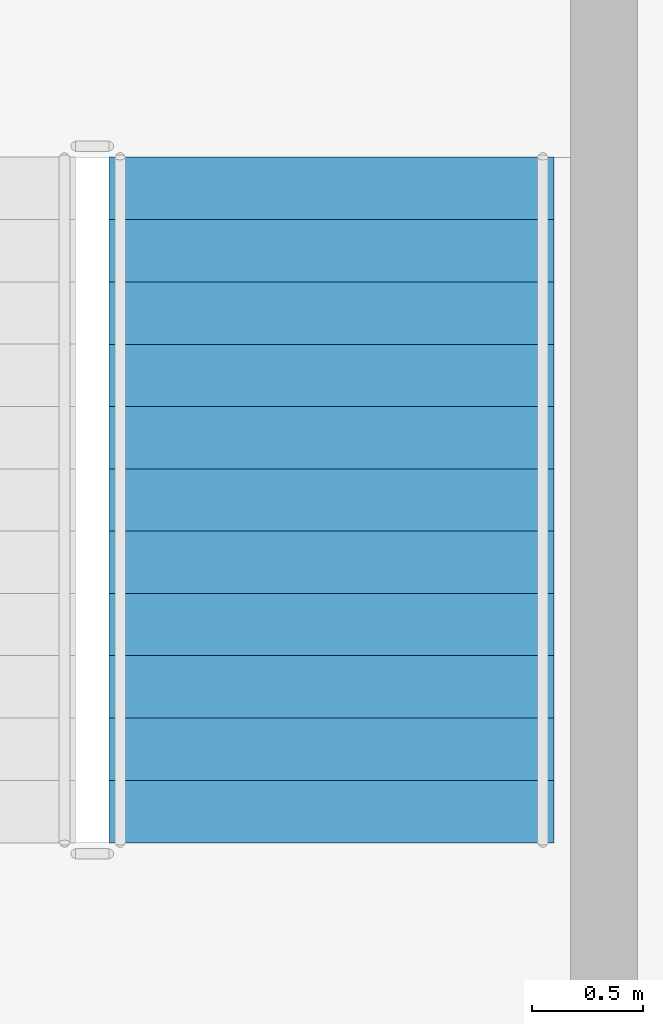
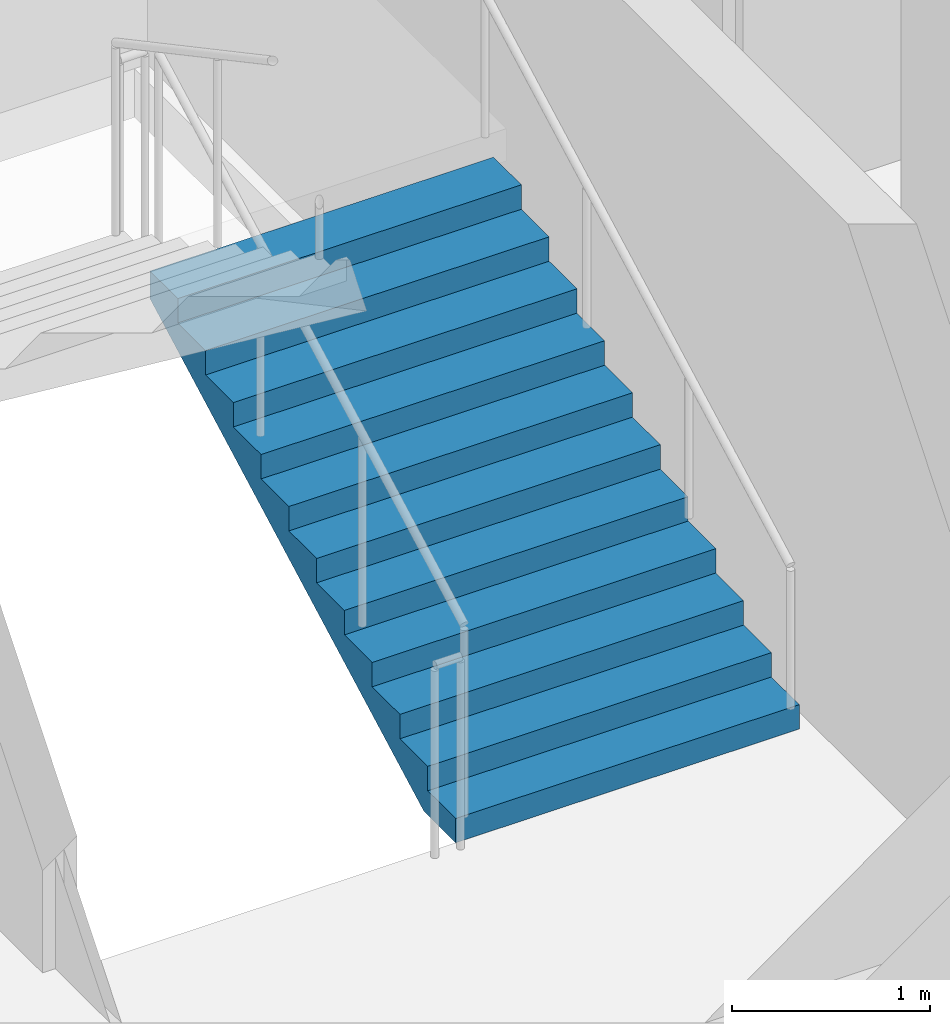
# One storey, part 12 of 15: 1 stair flight, 1 element without a shape of its own.
"""IFC4 building model written with IfcOpenShell, lengths in metres."""

from ifc_helpers import new_model, si_unit, direction, frame, origin, place, context, subcontext, project, spatial, polygons, material, type_object, element, aggregate, save


model = new_model("IFC4")

# Units and contexts
model_context = context("Model", 3, precision=1e-05, world=origin(), true_north=direction((0.0, 1.0)))
body_context = subcontext(model_context, "Body", "Model", "MODEL_VIEW")
ifc_project = project(units=[si_unit("LENGTHUNIT", "METRE"), si_unit("AREAUNIT", "SQUARE_METRE"), si_unit("VOLUMEUNIT", "CUBIC_METRE"), si_unit("PLANEANGLEUNIT", "RADIAN"), si_unit("MASSUNIT", "GRAM", prefix="KILO")], contexts=[model_context])

# Site, building, storey
site_placement = place(None, origin())
site = spatial("IfcSite", under=ifc_project, at=site_placement, CompositionType="ELEMENT")
building_placement = place(site_placement, origin())
building = spatial("IfcBuilding", under=site, at=building_placement, Name="Caravel Reach Hotel and Residences", CompositionType="ELEMENT")
storey_placement = place(building_placement, frame((0.0, 0.0, 70.800048828125)))
storey = spatial("IfcBuildingStorey", under=building, at=storey_placement, Name="L16", CompositionType="ELEMENT", Elevation=70.800048828125)

# Stair, stair flight
ifc_material_1 = material(Name="Concrete C40", Category="concrete")
stair_type = type_object("IfcStairType", Name="Core stair", PredefinedType="HALF_TURN_STAIR", material=ifc_material_1)
stair_placement = place(storey_placement, origin())
stair = element("IfcStair", 1, at=stair_placement, inside=storey, type_object=stair_type, Name="L16 Exit stair B", PredefinedType="HALF_TURN_STAIR")
ifc_material_2 = material(Name="Concrete C40", Category="concrete")
stair_flight_type = type_object("IfcStairFlightType", Name="Core stair flight", PredefinedType="STRAIGHT", material=ifc_material_2)
stair_flight_placement = place(storey_placement, frame((43.77490234375, 24.64990234375, 0.0), z_axis=(0.0, 0.0, 1.0), x_axis=(0.0, 1.0, 0.0)))
stair_flight = element("IfcStairFlight", 2, at=stair_flight_placement, type_object=stair_flight_type, Name="ST-B flight 1", NumberOfRisers=12, NumberOfTreads=11, PredefinedType="STRAIGHT", RiserHeight=0.15, TreadLength=0.28, context=body_context, shape_type="Tessellation", body=[
    polygons([(0.3174408016601862, 1.0, 0.0), (0.3174408016601862, 0.6666666666666667, 0.0), (0.3174408016601862, 0.33333333333333337, 0.0), (0.3174408016601862, 0.0, 0.0), (0.3174408016601862, -0.33333333333333326, 0.0), (0.3174408016601862, -0.6666666666666667, 0.0), (0.3174408016601862, -1.0, 0.0), (3.081, 1.0, 1.479942427682043), (3.081, 0.6666666666666667, 1.479942427682043), (3.081, 0.33333333333333337, 1.479942427682043), (3.081, 0.0, 1.479942427682043), (3.081, -0.33333333333333326, 1.479942427682043), (3.081, -0.6666666666666667, 1.479942427682043), (3.081, -1.0, 1.479942427682043), (3.081, 1.0, 1.65), (3.081, 0.6666666666666667, 1.65), (3.081, 0.33333333333333337, 1.65), (3.081, 0.0, 1.65), (3.081, -0.33333333333333326, 1.65), (3.081, -0.6666666666666667, 1.65), (3.081, -1.0, 1.65), (2.8000000000000003, 1.0, 1.65), (2.8000000000000003, 0.6666666666666667, 1.65), (2.8000000000000003, 0.33333333333333337, 1.65), (2.8000000000000003, 0.0, 1.65), (2.8000000000000003, -0.33333333333333326, 1.65), (2.8000000000000003, -0.6666666666666667, 1.65), (2.8000000000000003, -1.0, 1.65), (2.8000000000000003, 1.0, 1.5), (2.8000000000000003, 0.6666666666666667, 1.5), (2.8000000000000003, 0.33333333333333337, 1.5), (2.8000000000000003, 0.0, 1.5), (2.8000000000000003, -0.33333333333333326, 1.5), (2.8000000000000003, -0.6666666666666667, 1.5), (2.8000000000000003, -1.0, 1.5), (2.5200000000000005, 1.0, 1.5), (2.5200000000000005, 0.6666666666666667, 1.5), (2.5200000000000005, 0.33333333333333337, 1.5), (2.5200000000000005, 0.0, 1.5), (2.5200000000000005, -0.33333333333333326, 1.5), (2.5200000000000005, -0.6666666666666667, 1.5), (2.5200000000000005, -1.0, 1.5), (2.5200000000000005, 1.0, 1.3499999999999999), (2.5200000000000005, 0.6666666666666667, 1.3499999999999999), (2.5200000000000005, 0.33333333333333337, 1.3499999999999999), (2.5200000000000005, 0.0, 1.3499999999999999), (2.5200000000000005, -0.33333333333333326, 1.3499999999999999), (2.5200000000000005, -0.6666666666666667, 1.3499999999999999), (2.5200000000000005, -1.0, 1.3499999999999999), (2.24, 1.0, 1.3499999999999999), (2.24, 0.6666666666666667, 1.3499999999999999), (2.24, 0.33333333333333337, 1.3499999999999999), (2.24, 0.0, 1.3499999999999999), (2.24, -0.33333333333333326, 1.3499999999999999), (2.24, -0.6666666666666667, 1.3499999999999999), (2.24, -1.0, 1.3499999999999999), (2.24, 1.0, 1.2), (2.24, 0.6666666666666667, 1.2), (2.24, 0.33333333333333337, 1.2), (2.24, 0.0, 1.2), (2.24, -0.33333333333333326, 1.2), (2.24, -0.6666666666666667, 1.2), (2.24, -1.0, 1.2), (1.9600000000000002, 1.0, 1.2), (1.9600000000000002, 0.6666666666666667, 1.2), (1.9600000000000002, 0.33333333333333337, 1.2), (1.9600000000000002, 0.0, 1.2), (1.9600000000000002, -0.33333333333333326, 1.2), (1.9600000000000002, -0.6666666666666667, 1.2), (1.9600000000000002, -1.0, 1.2), (1.9600000000000002, 1.0, 1.05), (1.9600000000000002, 0.6666666666666667, 1.05), (1.9600000000000002, 0.33333333333333337, 1.05), (1.9600000000000002, 0.0, 1.05), (1.9600000000000002, -0.33333333333333326, 1.05), (1.9600000000000002, -0.6666666666666667, 1.05), (1.9600000000000002, -1.0, 1.05), (1.6800000000000002, 1.0, 1.05), (1.6800000000000002, 0.6666666666666667, 1.05), (1.6800000000000002, 0.33333333333333337, 1.05), (1.6800000000000002, 0.0, 1.05), (1.6800000000000002, -0.33333333333333326, 1.05), (1.6800000000000002, -0.6666666666666667, 1.05), (1.6800000000000002, -1.0, 1.05), (1.6800000000000002, 1.0, 0.8999999999999999), (1.6800000000000002, 0.6666666666666667, 0.8999999999999999), (1.6800000000000002, 0.33333333333333337, 0.8999999999999999), (1.6800000000000002, 0.0, 0.8999999999999999), (1.6800000000000002, -0.33333333333333326, 0.8999999999999999), (1.6800000000000002, -0.6666666666666667, 0.8999999999999999), (1.6800000000000002, -1.0, 0.8999999999999999), (1.4000000000000001, 1.0, 0.8999999999999999), (1.4000000000000001, 0.6666666666666667, 0.8999999999999999), (1.4000000000000001, 0.33333333333333337, 0.8999999999999999), (1.4000000000000001, 0.0, 0.8999999999999999), (1.4000000000000001, -0.33333333333333326, 0.8999999999999999), (1.4000000000000001, -0.6666666666666667, 0.8999999999999999), (1.4000000000000001, -1.0, 0.8999999999999999), (1.4000000000000001, 1.0, 0.75), (1.4000000000000001, 0.6666666666666667, 0.75), (1.4000000000000001, 0.33333333333333337, 0.75), (1.4000000000000001, 0.0, 0.75), (1.4000000000000001, -0.33333333333333326, 0.75), (1.4000000000000001, -0.6666666666666667, 0.75), (1.4000000000000001, -1.0, 0.75), (1.12, 1.0, 0.75), (1.12, 0.6666666666666667, 0.75), (1.12, 0.33333333333333337, 0.75), (1.12, 0.0, 0.75), (1.12, -0.33333333333333326, 0.75), (1.12, -0.6666666666666667, 0.75), (1.12, -1.0, 0.75), (1.12, 1.0, 0.6), (1.12, 0.6666666666666667, 0.6), (1.12, 0.33333333333333337, 0.6), (1.12, 0.0, 0.6), (1.12, -0.33333333333333326, 0.6), (1.12, -0.6666666666666667, 0.6), (1.12, -1.0, 0.6), (0.8400000000000001, 1.0, 0.6), (0.8400000000000001, 0.6666666666666667, 0.6), (0.8400000000000001, 0.33333333333333337, 0.6), (0.8400000000000001, 0.0, 0.6), (0.8400000000000001, -0.33333333333333326, 0.6), (0.8400000000000001, -0.6666666666666667, 0.6), (0.8400000000000001, -1.0, 0.6), (0.8400000000000001, 1.0, 0.44999999999999996), (0.8400000000000001, 0.6666666666666667, 0.44999999999999996), (0.8400000000000001, 0.33333333333333337, 0.44999999999999996), (0.8400000000000001, 0.0, 0.44999999999999996), (0.8400000000000001, -0.33333333333333326, 0.44999999999999996), (0.8400000000000001, -0.6666666666666667, 0.44999999999999996), (0.8400000000000001, -1.0, 0.44999999999999996), (0.56, 1.0, 0.44999999999999996), (0.56, 0.6666666666666667, 0.44999999999999996), (0.56, 0.33333333333333337, 0.44999999999999996), (0.56, 0.0, 0.44999999999999996), (0.56, -0.33333333333333326, 0.44999999999999996), (0.56, -0.6666666666666667, 0.44999999999999996), (0.56, -1.0, 0.44999999999999996), (0.56, 1.0, 0.3), (0.56, 0.6666666666666667, 0.3), (0.56, 0.33333333333333337, 0.3), (0.56, 0.0, 0.3), (0.56, -0.33333333333333326, 0.3), (0.56, -0.6666666666666667, 0.3), (0.56, -1.0, 0.3), (0.28, 1.0, 0.3), (0.28, 0.6666666666666667, 0.3), (0.28, 0.33333333333333337, 0.3), (0.28, 0.0, 0.3), (0.28, -0.33333333333333326, 0.3), (0.28, -0.6666666666666667, 0.3), (0.28, -1.0, 0.3), (0.28, 1.0, 0.15), (0.28, 0.6666666666666667, 0.15), (0.28, 0.33333333333333337, 0.15), (0.28, 0.0, 0.15), (0.28, -0.33333333333333326, 0.15), (0.28, -0.6666666666666667, 0.15), (0.28, -1.0, 0.15), (-0.001, 1.0, 0.15), (-0.001, 0.6666666666666667, 0.15), (-0.001, 0.33333333333333337, 0.15), (-0.001, 0.0, 0.15), (-0.001, -0.33333333333333326, 0.15), (-0.001, -0.6666666666666667, 0.15), (-0.001, -1.0, 0.15), (-0.001, 1.0, 0.0), (-0.001, 0.6666666666666667, 0.0), (-0.001, 0.33333333333333337, 0.0), (-0.001, 0.0, 0.0), (-0.001, -0.33333333333333326, 0.0), (-0.001, -0.6666666666666667, 0.0), (-0.001, -1.0, 0.0)], [[[169, 162, 155, 148, 141, 134, 127, 120, 113, 106, 99, 92, 85, 78, 71, 64, 57, 50, 43, 36, 29, 22, 15, 8, 1]], [[7, 14, 21, 28, 35, 42, 49, 56, 63, 70, 77, 84, 91, 98, 105, 112, 119, 126, 133, 140, 147, 154, 161, 168, 175]], [[1, 8, 9, 2]], [[2, 9, 10, 3]], [[3, 10, 11, 4]], [[4, 11, 12, 5]], [[5, 12, 13, 6]], [[6, 13, 14, 7]], [[8, 15, 16, 9]], [[9, 16, 17, 10]], [[10, 17, 18, 11]], [[11, 18, 19, 12]], [[12, 19, 20, 13]], [[13, 20, 21, 14]], [[15, 22, 23, 16]], [[16, 23, 24, 17]], [[17, 24, 25, 18]], [[18, 25, 26, 19]], [[19, 26, 27, 20]], [[20, 27, 28, 21]], [[22, 29, 30, 23]], [[23, 30, 31, 24]], [[24, 31, 32, 25]], [[25, 32, 33, 26]], [[26, 33, 34, 27]], [[27, 34, 35, 28]], [[29, 36, 37, 30]], [[30, 37, 38, 31]], [[31, 38, 39, 32]], [[32, 39, 40, 33]], [[33, 40, 41, 34]], [[34, 41, 42, 35]], [[36, 43, 44, 37]], [[37, 44, 45, 38]], [[38, 45, 46, 39]], [[39, 46, 47, 40]], [[40, 47, 48, 41]], [[41, 48, 49, 42]], [[43, 50, 51, 44]], [[44, 51, 52, 45]], [[45, 52, 53, 46]], [[46, 53, 54, 47]], [[47, 54, 55, 48]], [[48, 55, 56, 49]], [[50, 57, 58, 51]], [[51, 58, 59, 52]], [[52, 59, 60, 53]], [[53, 60, 61, 54]], [[54, 61, 62, 55]], [[55, 62, 63, 56]], [[57, 64, 65, 58]], [[58, 65, 66, 59]], [[59, 66, 67, 60]], [[60, 67, 68, 61]], [[61, 68, 69, 62]], [[62, 69, 70, 63]], [[64, 71, 72, 65]], [[65, 72, 73, 66]], [[66, 73, 74, 67]], [[67, 74, 75, 68]], [[68, 75, 76, 69]], [[69, 76, 77, 70]], [[71, 78, 79, 72]], [[72, 79, 80, 73]], [[73, 80, 81, 74]], [[74, 81, 82, 75]], [[75, 82, 83, 76]], [[76, 83, 84, 77]], [[78, 85, 86, 79]], [[79, 86, 87, 80]], [[80, 87, 88, 81]], [[81, 88, 89, 82]], [[82, 89, 90, 83]], [[83, 90, 91, 84]], [[85, 92, 93, 86]], [[86, 93, 94, 87]], [[87, 94, 95, 88]], [[88, 95, 96, 89]], [[89, 96, 97, 90]], [[90, 97, 98, 91]], [[92, 99, 100, 93]], [[93, 100, 101, 94]], [[94, 101, 102, 95]], [[95, 102, 103, 96]], [[96, 103, 104, 97]], [[97, 104, 105, 98]], [[99, 106, 107, 100]], [[100, 107, 108, 101]], [[101, 108, 109, 102]], [[102, 109, 110, 103]], [[103, 110, 111, 104]], [[104, 111, 112, 105]], [[106, 113, 114, 107]], [[107, 114, 115, 108]], [[108, 115, 116, 109]], [[109, 116, 117, 110]], [[110, 117, 118, 111]], [[111, 118, 119, 112]], [[113, 120, 121, 114]], [[114, 121, 122, 115]], [[115, 122, 123, 116]], [[116, 123, 124, 117]], [[117, 124, 125, 118]], [[118, 125, 126, 119]], [[120, 127, 128, 121]], [[121, 128, 129, 122]], [[122, 129, 130, 123]], [[123, 130, 131, 124]], [[124, 131, 132, 125]], [[125, 132, 133, 126]], [[127, 134, 135, 128]], [[128, 135, 136, 129]], [[129, 136, 137, 130]], [[130, 137, 138, 131]], [[131, 138, 139, 132]], [[132, 139, 140, 133]], [[134, 141, 142, 135]], [[135, 142, 143, 136]], [[136, 143, 144, 137]], [[137, 144, 145, 138]], [[138, 145, 146, 139]], [[139, 146, 147, 140]], [[141, 148, 149, 142]], [[142, 149, 150, 143]], [[143, 150, 151, 144]], [[144, 151, 152, 145]], [[145, 152, 153, 146]], [[146, 153, 154, 147]], [[148, 155, 156, 149]], [[149, 156, 157, 150]], [[150, 157, 158, 151]], [[151, 158, 159, 152]], [[152, 159, 160, 153]], [[153, 160, 161, 154]], [[155, 162, 163, 156]], [[156, 163, 164, 157]], [[157, 164, 165, 158]], [[158, 165, 166, 159]], [[159, 166, 167, 160]], [[160, 167, 168, 161]], [[162, 169, 170, 163]], [[163, 170, 171, 164]], [[164, 171, 172, 165]], [[165, 172, 173, 166]], [[166, 173, 174, 167]], [[167, 174, 175, 168]], [[169, 1, 2, 170]], [[170, 2, 3, 171]], [[171, 3, 4, 172]], [[172, 4, 5, 173]], [[173, 5, 6, 174]], [[174, 6, 7, 175]]], closed=True),
])
aggregate(stair, [stair_flight])

save(model, "model.ifc")
